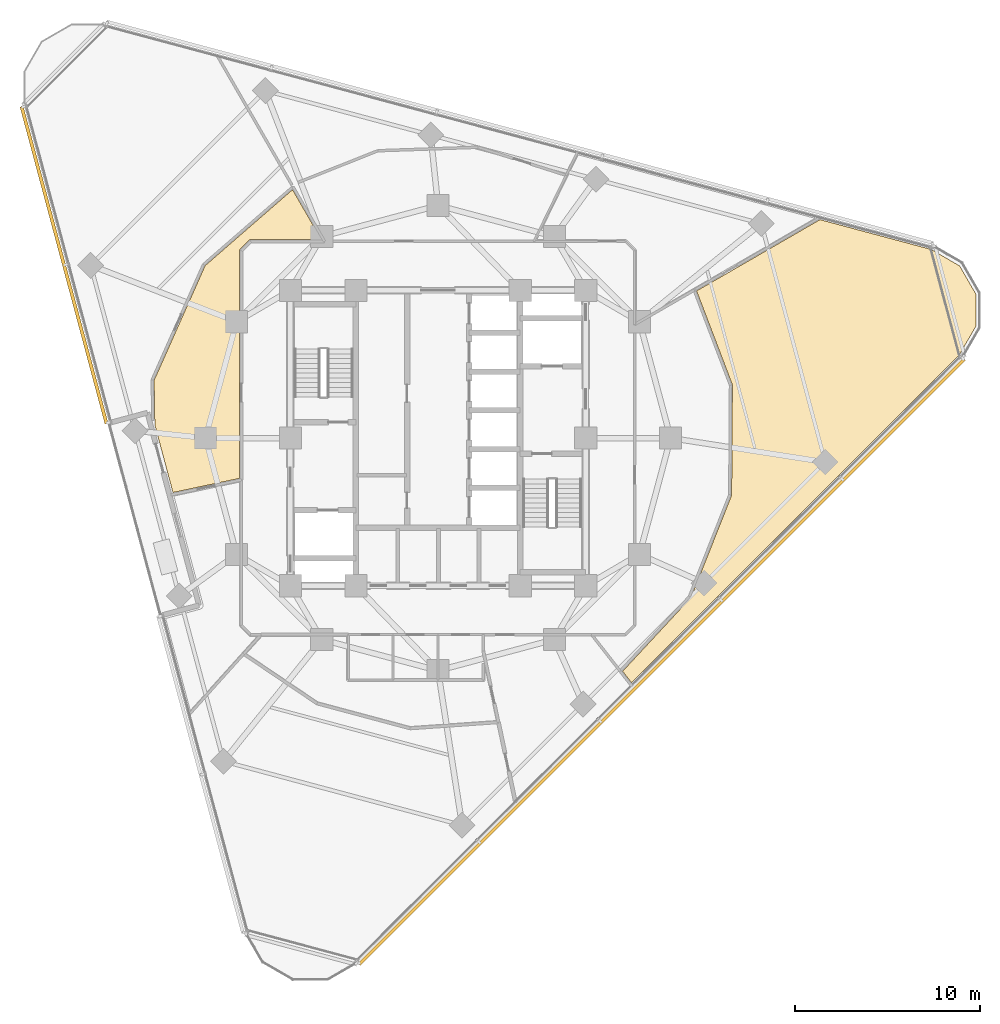
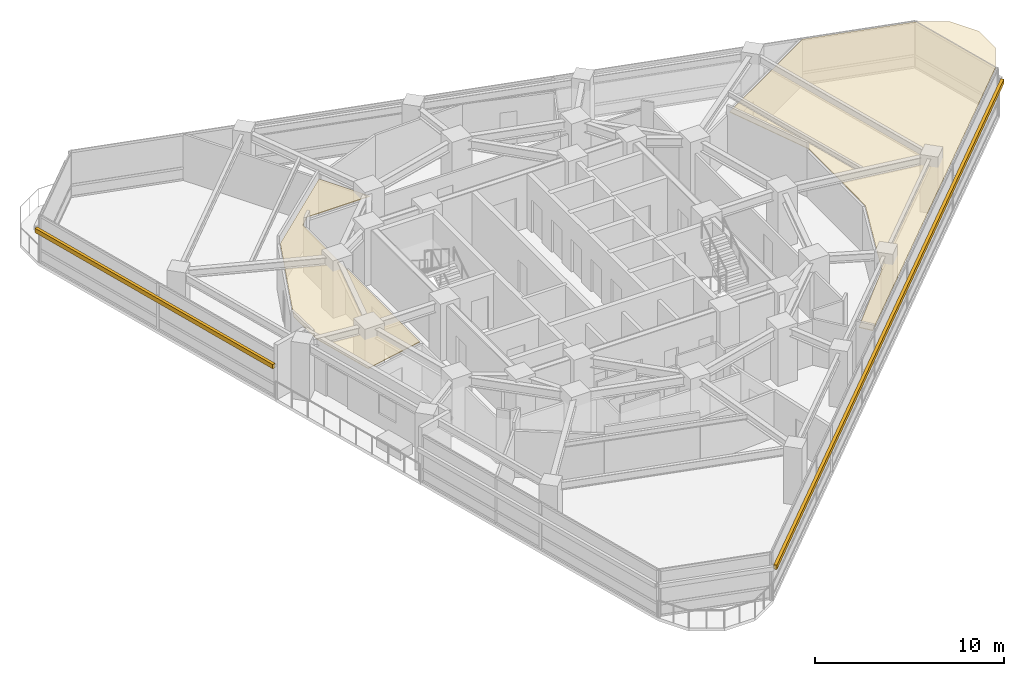
# One storey, part 12 of 14: 2 coverings, 2 shading devices.
"""IFC4 building model written with IfcOpenShell, lengths in metres."""

from ifc_helpers import new_model, si_unit, direction, frame, origin, origin_2d, place, context, subcontext, project, spatial, polyline, rectangle, outline, extrude, material, layer, layer_set, type_object, element, save


model = new_model("IFC4")

# Units and contexts
model_context = context("Model", 3, precision=1e-05, world=origin(), true_north=direction((0.0, 1.0)))
body_context = subcontext(model_context, "Body", "Model", "MODEL_VIEW")
ifc_project = project(units=[si_unit("LENGTHUNIT", "METRE"), si_unit("AREAUNIT", "SQUARE_METRE"), si_unit("VOLUMEUNIT", "CUBIC_METRE"), si_unit("PLANEANGLEUNIT", "RADIAN"), si_unit("MASSUNIT", "GRAM", prefix="KILO")], contexts=[model_context])

# Site, building, storey
site_placement = place(None, origin())
site = spatial("IfcSite", under=ifc_project, at=site_placement, CompositionType="ELEMENT")
building_placement = place(site_placement, origin())
building = spatial("IfcBuilding", under=site, at=building_placement, Name="Terralouvre Media Tower", CompositionType="ELEMENT")
storey_placement = place(building_placement, frame((0.0, 0.0, 206.39990234375)))
storey = spatial("IfcBuildingStorey", under=building, at=storey_placement, Name="L53", CompositionType="ELEMENT", Elevation=206.39990234375)

# Coverings
ifc_material_1 = material(Name="Perforated aluminium acoustic ceiling baffle", Category="aluminium")
ifc_layer = layer(ifc_material_1, 0.0400390625, Name="Perforated Acoustic Metal Tile Ceiling CL-AC1")
ifc_layer_set = layer_set([ifc_layer], Name="Perforated aluminium acoustic ceiling baffle")
covering_type = type_object("IfcCoveringType", Name="Perforated Acoustic Metal Tile Ceiling CL-AC1", PredefinedType="CEILING", material=ifc_layer_set)
covering_1_placement = place(storey_placement, frame((0.0, 0.0, 2.97998046875), z_axis=(0.0, 0.0, 1.0), x_axis=(0.707106781187, 0.707106781187, 0.0)))
element("IfcCovering", 1, at=covering_1_placement, inside=storey, type_object=covering_type, Name="L53 Editors Bistro Kitchen 6 Acoustic Ceiling", PredefinedType="CEILING", context=body_context, shape_type="SweptSolid", body=[
    extrude(outline(polyline([(13.31982421875, -9.2177734375), (13.315673828125, -9.22607421875), (13.310791015625, -9.23388671875), (13.30517578125, -9.2412109375), (13.298828125, -9.248046875), (9.072998046875, -13.41845703125), (9.066162109375, -13.4248046875), (9.058837890625, -13.43017578125), (9.05078125, -13.43505859375), (9.04248046875, -13.439208984375), (3.5927734375, -15.794677734375), (3.584228515625, -15.7978515625), (3.5751953125, -15.80029296875), (3.566162109375, -15.802001953125), (3.556884765625, -15.802734375), (-1.8642578125, -16.00390625), (-1.960205078125, -16.78271484375), (23.15087890625, -16.78369140625), (24.87646484375, -16.32080078125), (26.117919921875, -15.07958984375), (26.572021484375, -13.38330078125), (26.110107421875, -11.658447265625), (22.996337890625, -6.26513671875), (15.537109375, -4.267333984375), (13.31982421875, -9.2177734375)])), origin(), (0.0, 0.0, 1.0), 0.0400390625),
])
covering_2_placement = place(storey_placement, frame((0.0, 0.0, 2.97998046875), z_axis=(0.0, 0.0, 1.0), x_axis=(0.707106781187, 0.707106781187, 0.0)))
element("IfcCovering", 2, at=covering_2_placement, inside=storey, type_object=covering_type, Name="L53 Dolby Preview Screening Cinema 11 Acoustic Ceiling", PredefinedType="CEILING", context=body_context, shape_type="SweptSolid", body=[
    extrude(outline(polyline([(-0.42431640625, 14.778564453125), (-0.4169921875, 14.78515625), (-0.4091796875, 14.791015625), (-0.400634765625, 14.7958984375), (-0.391845703125, 14.80029296875), (-0.382568359375, 14.803466796875), (-0.373046875, 14.805908203125), (-0.36328125, 14.807373046875), (-0.353515625, 14.807861328125), (0.353515625, 14.807861328125), (0.36328125, 14.807373046875), (0.373046875, 14.805908203125), (0.382568359375, 14.803466796875), (0.391845703125, 14.80029296875), (0.400634765625, 14.7958984375), (0.4091796875, 14.791015625), (0.4169921875, 14.78515625), (0.42431640625, 14.778564453125), (3.130859375, 12.07177734375), (3.939208984375, 15.08740234375), (-2.320556640625, 15.525146484375), (-8.6640625, 13.090087890625), (-10.343017578125, 11.351318359375), (-12.239013671875, 8.067626953125), (-9.14501953125, 6.057861328125), (-0.42431640625, 14.778564453125)])), origin(), (0.0, 0.0, 1.0), 0.0400390625),
])

# Shading devices
ifc_material_2 = material(Name="Extruded terracotta baguette sunshade louvres", Category="masonry")
shading_device_type = type_object("IfcShadingDeviceType", Name="Terracotta Baguette Sunshade Louvre Screen TB-LV1", PredefinedType="USERDEFINED", material=ifc_material_2)
shading_device_1_placement = place(storey_placement, frame((12.121826171875, -12.121826171875, 2.02392578125), z_axis=(0.0, 0.0, 1.0), x_axis=(0.707106781187, 0.707106781187, 0.0)))
element("IfcShadingDevice", 3, at=shading_device_1_placement, inside=storey, type_object=shading_device_type, Name="CW-L53-F0 Terracotta Baguette Sunshade Louvre", ObjectType="BAGUETTE", PredefinedType="USERDEFINED", context=body_context, shape_type="SweptSolid", body=[
    extrude(rectangle(XDim=46.360107421875, YDim=0.179931640625, at=origin_2d()), origin(), (0.0, 0.0, 1.0), 0.280029296875),
])
shading_device_2_placement = place(storey_placement, frame((-20.25732421875, 9.3662109375, 2.02392578125), z_axis=(0.0, 0.0, 1.0), x_axis=(0.25881892426, -0.965925858669, 0.0)))
element("IfcShadingDevice", 4, at=shading_device_2_placement, inside=storey, type_object=shading_device_type, Name="CW-L53-F2L Terracotta Baguette Sunshade Louvre", ObjectType="BAGUETTE", PredefinedType="USERDEFINED", context=body_context, shape_type="SweptSolid", body=[
    extrude(rectangle(XDim=17.780029296875, YDim=0.179931640625, at=origin_2d()), origin(), (0.0, 0.0, 1.0), 0.280029296875),
])

save(model, "model.ifc")
